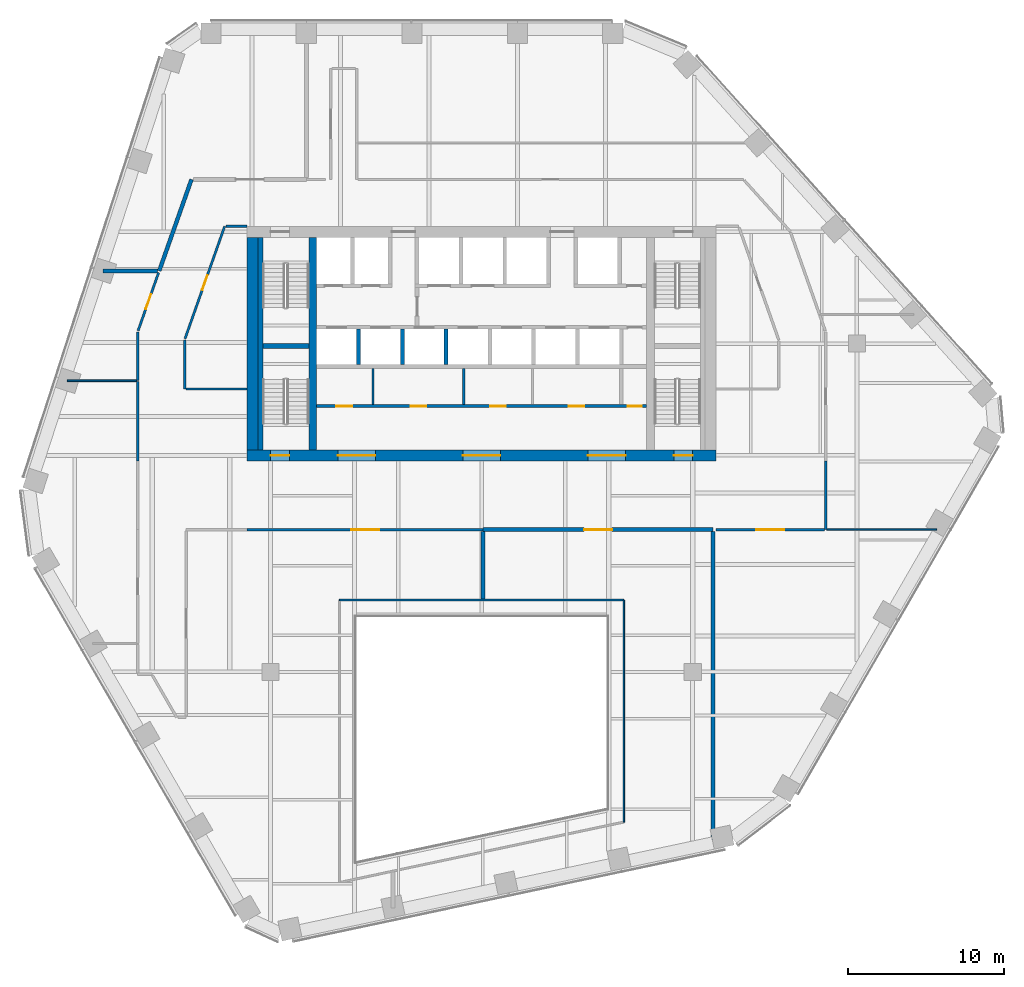
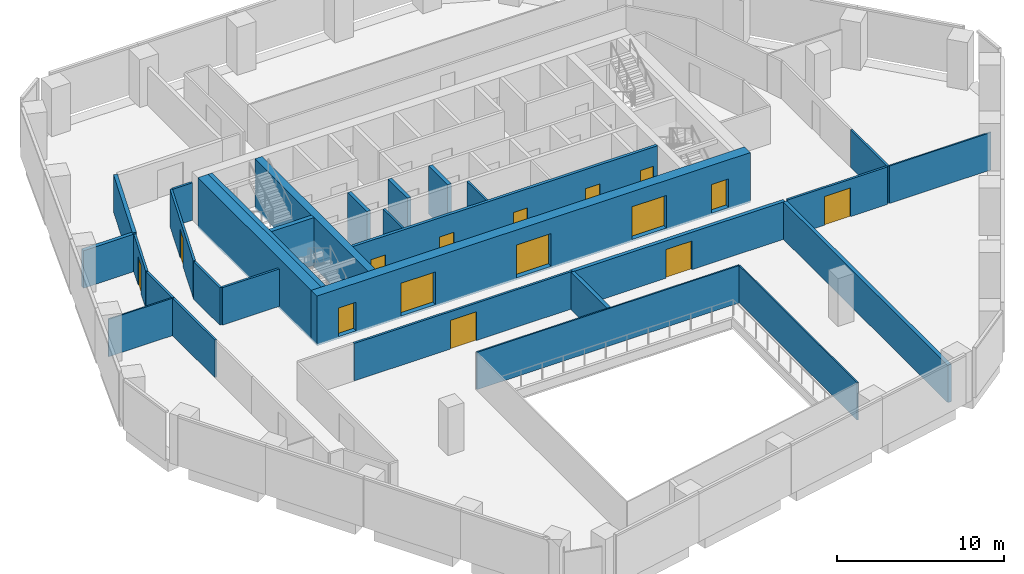
# One storey, part 11 of 16: 30 walls, 15 doors, 15 openings.
"""IFC4 building model written with IfcOpenShell, lengths in metres."""

from ifc_helpers import new_model, si_unit, direction, frame, frame_2d, origin, place, context, subcontext, project, spatial, rectangle, extrude, material, layer, layer_set, type_object, element, fill, save


model = new_model("IFC4")

# Units and contexts
model_context = context("Model", 3, precision=1e-05, world=origin(), true_north=direction((0.0, 1.0)))
body_context = subcontext(model_context, "Body", "Model", "MODEL_VIEW")
ifc_project = project(units=[si_unit("LENGTHUNIT", "METRE"), si_unit("AREAUNIT", "SQUARE_METRE"), si_unit("VOLUMEUNIT", "CUBIC_METRE"), si_unit("PLANEANGLEUNIT", "RADIAN"), si_unit("MASSUNIT", "GRAM", prefix="KILO")], contexts=[model_context])

# Site, building, storey
site_placement = place(None, origin())
site = spatial("IfcSite", under=ifc_project, at=site_placement, CompositionType="ELEMENT")
building_placement = place(site_placement, origin())
building = spatial("IfcBuilding", under=site, at=building_placement, Name="Isthmus Gate Tower", CompositionType="ELEMENT")
storey_placement = place(building_placement, frame((0.0, 0.0, 185.39990234375)))
storey = spatial("IfcBuildingStorey", under=building, at=storey_placement, Name="L46", CompositionType="ELEMENT", Elevation=185.39990234375)

# Wall, opening, door
ifc_material_1 = material(Name="Double-leaf acoustic stud wall, fire-rated", Category="gypsum")
ifc_layer_1 = layer(ifc_material_1, 0.25)
ifc_layer_set_1 = layer_set([ifc_layer_1], Name="ACOUSTIC WALL 250 60 MIN")
wall_type_1 = type_object("IfcWallType", Name="ACOUSTIC WALL 250 60 MIN", PredefinedType="PARTITIONING", material=ifc_layer_set_1)
wall_1_placement = place(storey_placement, frame((14.800048828125, -4.39990234375, 0.0), z_axis=(0.0, 0.0, 1.0), x_axis=(-1.0, 0.0, 0.0)))
wall_1 = element("IfcWall", 1, at=wall_1_placement, inside=storey, type_object=wall_type_1, Name="L46 Acoustic Wall 250 60 Min", PredefinedType="PARTITIONING", context=body_context, shape_type="SweptSolid", body=[
    extrude(rectangle(XDim=14.705078125, YDim=0.25, at=frame_2d((7.3525390625, 0.0))), origin(), (0.0, 0.0, 1.0), 2.7412109375),
])
opening_1_placement = place(wall_1_placement, frame((6.452392578125, 0.0, 0.0)))
opening_1 = element("IfcOpeningElement", 2, at=opening_1_placement, cuts=wall_1, Name="Opening DT-T4B-12", PredefinedType="OPENING", context=body_context, shape_type="SweptSolid", body=[
    extrude(rectangle(XDim=1.800048828125, YDim=2.10009765625, at=frame_2d((0.89990234375, 1.050048828125))), frame((0.0, 0.135009765625, 0.0), z_axis=(0.0, -1.0, 0.0), x_axis=(1.0, 0.0, 0.0)), (0.0, 0.0, 1.0), 0.27001953125),
])
ifc_material_2 = material(Name="Solid core timber door leaf, fire-rated", Category="wood")
door_type_1 = type_object("IfcDoorType", Name="FIRE DOOR ACOUSTIC ROOM 1800 X 2100 60 MIN", OperationType="DOUBLE_DOOR_DOUBLE_SWING", PredefinedType="DOOR", material=ifc_material_2)
door_1_placement = place(opening_1_placement, origin())
door_1 = element("IfcDoor", 3, at=door_1_placement, inside=storey, type_object=door_type_1, Name="L46 room door", OperationType="DOUBLE_DOOR_DOUBLE_SWING", OverallHeight=2.10009765625, OverallWidth=1.800048828125, PredefinedType="DOOR", context=body_context, shape_type="SweptSolid", body=[
    extrude(rectangle(XDim=1.800048828125, YDim=2.10009765625, at=frame_2d((0.89990234375, 1.050048828125))), frame((0.0, 0.02490234375, 0.0), z_axis=(0.0, -1.0, 0.0), x_axis=(1.0, 0.0, 0.0)), (0.0, 0.0, 1.0), 0.050048828125),
])
fill(opening_1, door_1)

# Walls
wall_2_placement = place(storey_placement, frame((-20.6240234375, 12.156005859375, 0.0), z_axis=(0.0, 0.0, 1.0), x_axis=(0.332877813913, 0.942969968241, 0.0)))
element("IfcWall", 4, at=wall_2_placement, inside=storey, type_object=wall_type_1, Name="L46 Acoustic Wall 250 60 Min", PredefinedType="PARTITIONING", context=body_context, shape_type="SweptSolid", body=[
    extrude(rectangle(XDim=6.197509765625, YDim=0.25, at=frame_2d((3.0986328125, 0.0))), origin(), (0.0, 0.0, 1.0), 2.7412109375),
])
wall_3_placement = place(storey_placement, frame((-24.217041015625, 12.156005859375, 0.0), z_axis=(0.0, 0.0, 1.0), x_axis=(1.0, 0.0, 0.0)))
element("IfcWall", 5, at=wall_3_placement, inside=storey, type_object=wall_type_1, Name="L46 Acoustic Wall 250 60 Min", PredefinedType="PARTITIONING", context=body_context, shape_type="SweptSolid", body=[
    extrude(rectangle(XDim=3.468017578125, YDim=0.25, at=frame_2d((1.73388671875, 0.0))), origin(), (0.0, 0.0, 1.0), 2.7412109375),
])
wall_4_placement = place(storey_placement, frame((0.094970703125, -8.85009765625, 0.0), z_axis=(0.0, 0.0, 1.0), x_axis=(0.0, 1.0, 0.0)))
element("IfcWall", 6, at=wall_4_placement, inside=storey, type_object=wall_type_1, Name="L46 Acoustic Wall 250 60 Min", PredefinedType="PARTITIONING", context=body_context, shape_type="SweptSolid", body=[
    extrude(rectangle(XDim=4.3251953125, YDim=0.25, at=frame_2d((2.16259765625, 0.0))), origin(), (0.0, 0.0, 1.0), 2.7412109375),
])
wall_5_placement = place(storey_placement, frame((14.800048828125, -24.240966796875, 0.0), z_axis=(0.0, 0.0, 1.0), x_axis=(0.0, 1.0, 0.0)))
element("IfcWall", 7, at=wall_5_placement, inside=storey, type_object=wall_type_1, Name="L46 Acoustic Wall 250 60 Min", PredefinedType="PARTITIONING", context=body_context, shape_type="SweptSolid", body=[
    extrude(rectangle(XDim=19.716064453125, YDim=0.25, at=frame_2d((9.85791015625, 0.0))), origin(), (0.0, 0.0, 1.0), 2.7412109375),
])
ifc_material_3 = material(Name="Fire-rated laminated glass in steel frame", Category="steel")
ifc_layer_2 = layer(ifc_material_3, 0.10009765625)
ifc_layer_set_2 = layer_set([ifc_layer_2], Name="ATRIUM SCREEN GLAZED WALL 100 120 MIN")
wall_type_2 = type_object("IfcWallType", Name="ATRIUM SCREEN GLAZED WALL 100 120 MIN", PredefinedType="PARTITIONING", material=ifc_layer_set_2)
wall_6_placement = place(storey_placement, frame((-9.10009765625, -8.89990234375, 0.0), z_axis=(0.0, 0.0, 1.0), x_axis=(1.0, 0.0, 0.0)))
element("IfcWall", 8, at=wall_6_placement, inside=storey, type_object=wall_type_2, Name="L46 atrium screen", PredefinedType="PARTITIONING", context=body_context, shape_type="SweptSolid", body=[
    extrude(rectangle(XDim=18.2001953125, YDim=0.10009765625, at=frame_2d((9.10009765625, 0.0))), origin(), (0.0, 0.0, 1.0), 2.7412109375),
])
wall_7_placement = place(storey_placement, frame((9.10009765625, -8.89990234375, 0.0), z_axis=(0.0, 0.0, 1.0), x_axis=(0.0, -1.0, 0.0)))
element("IfcWall", 9, at=wall_7_placement, inside=storey, type_object=wall_type_2, Name="L46 atrium screen", PredefinedType="PARTITIONING", context=body_context, shape_type="SweptSolid", body=[
    extrude(rectangle(XDim=14.200927734375, YDim=0.10009765625, at=frame_2d((7.1005859375, 0.0))), origin(), (0.0, 0.0, 1.0), 2.7412109375),
])

# Wall, opening, door
ifc_material_4 = material(Name="Gypsum board on steel studs, fire-rated", Category="steel")
ifc_layer_3 = layer(ifc_material_4, 0.14990234375)
ifc_layer_set_3 = layer_set([ifc_layer_3], Name="CORRIDOR WALL 150 60 MIN")
wall_type_3 = type_object("IfcWallType", Name="CORRIDOR WALL 150 60 MIN", PredefinedType="PARTITIONING", material=ifc_layer_set_3)
wall_8_placement = place(storey_placement, frame((0.094970703125, -4.39990234375, 0.0), z_axis=(0.0, 0.0, 1.0), x_axis=(-1.0, 0.0, 0.0)))
wall_8 = element("IfcWall", 10, at=wall_8_placement, inside=storey, type_object=wall_type_3, Name="L46 Corridor Wall 150 60 Min", PredefinedType="PARTITIONING", context=body_context, shape_type="SweptSolid", body=[
    extrude(rectangle(XDim=15.094970703125, YDim=0.14990234375, at=frame_2d((7.54736328125, 0.0))), origin(), (0.0, 0.0, 1.0), 2.7412109375),
])
opening_2_placement = place(wall_8_placement, frame((6.6474609375, 0.0, 0.0)))
opening_2 = element("IfcOpeningElement", 11, at=opening_2_placement, cuts=wall_8, Name="Opening DT-T4B-10", PredefinedType="OPENING", context=body_context, shape_type="SweptSolid", body=[
    extrude(rectangle(XDim=1.800048828125, YDim=2.10009765625, at=frame_2d((0.89990234375, 1.050048828125))), frame((0.0, 0.0849609375, 0.0), z_axis=(0.0, -1.0, 0.0), x_axis=(1.0, 0.0, 0.0)), (0.0, 0.0, 1.0), 0.169921875),
])
ifc_material_5 = material(Name="Solid core timber door leaf, fire-rated", Category="wood")
door_type_2 = type_object("IfcDoorType", Name="FIRE DOOR ROOM 1800 X 2100 60 MIN", OperationType="DOUBLE_DOOR_DOUBLE_SWING", PredefinedType="DOOR", material=ifc_material_5)
door_2_placement = place(opening_2_placement, origin())
door_2 = element("IfcDoor", 12, at=door_2_placement, inside=storey, type_object=door_type_2, Name="L46 room door", OperationType="DOUBLE_DOOR_DOUBLE_SWING", OverallHeight=2.10009765625, OverallWidth=1.800048828125, PredefinedType="DOOR", context=body_context, shape_type="SweptSolid", body=[
    extrude(rectangle(XDim=1.800048828125, YDim=2.10009765625, at=frame_2d((0.89990234375, 1.050048828125))), frame((0.0, 0.02490234375, 0.0), z_axis=(0.0, -1.0, 0.0), x_axis=(1.0, 0.0, 0.0)), (0.0, 0.0, 1.0), 0.050048828125),
])
fill(opening_2, door_2)

# Wall
wall_9_placement = place(storey_placement, frame((22.0, 0.0, 0.0), z_axis=(0.0, 0.0, 1.0), x_axis=(0.0, -1.0, 0.0)))
element("IfcWall", 13, at=wall_9_placement, inside=storey, type_object=wall_type_3, Name="L46 Corridor Wall 150 60 Min", PredefinedType="PARTITIONING", context=body_context, shape_type="SweptSolid", body=[
    extrude(rectangle(XDim=4.39990234375, YDim=0.14990234375, at=frame_2d((2.199951171875, 0.0))), origin(), (0.0, 0.0, 1.0), 2.7412109375),
])

# Wall, opening, door
wall_10_placement = place(storey_placement, frame((21.925048828125, -4.39990234375, 0.0), z_axis=(0.0, 0.0, 1.0), x_axis=(-1.0, 0.0, 0.0)))
wall_10 = element("IfcWall", 14, at=wall_10_placement, inside=storey, type_object=wall_type_3, Name="L46 Corridor Wall 150 60 Min", PredefinedType="PARTITIONING", context=body_context, shape_type="SweptSolid", body=[
    extrude(rectangle(XDim=6.925048828125, YDim=0.14990234375, at=frame_2d((3.46240234375, 0.0))), origin(), (0.0, 0.0, 1.0), 2.7412109375),
])
opening_3_placement = place(wall_10_placement, frame((2.5625, 0.0, 0.0)))
opening_3 = element("IfcOpeningElement", 15, at=opening_3_placement, cuts=wall_10, Name="Opening DT-T4B-09", PredefinedType="OPENING", context=body_context, shape_type="SweptSolid", body=[
    extrude(rectangle(XDim=1.800048828125, YDim=2.10009765625, at=frame_2d((0.89990234375, 1.050048828125))), frame((0.0, 0.0849609375, 0.0), z_axis=(0.0, -1.0, 0.0), x_axis=(1.0, 0.0, 0.0)), (0.0, 0.0, 1.0), 0.169921875),
])
door_3_placement = place(opening_3_placement, origin())
door_3 = element("IfcDoor", 16, at=door_3_placement, inside=storey, type_object=door_type_2, Name="L46 room door", OperationType="DOUBLE_DOOR_DOUBLE_SWING", OverallHeight=2.10009765625, OverallWidth=1.800048828125, PredefinedType="DOOR", context=body_context, shape_type="SweptSolid", body=[
    extrude(rectangle(XDim=1.800048828125, YDim=2.10009765625, at=frame_2d((0.89990234375, 1.050048828125))), frame((0.0, 0.02490234375, 0.0), z_axis=(0.0, -1.0, 0.0), x_axis=(1.0, 0.0, 0.0)), (0.0, 0.0, 1.0), 0.050048828125),
])
fill(opening_3, door_3)

# Wall
wall_11_placement = place(storey_placement, frame((-19.0, 7.742919921875, 0.0), z_axis=(0.0, 0.0, 1.0), x_axis=(0.0, -1.0, 0.0)))
element("IfcWall", 17, at=wall_11_placement, inside=storey, type_object=wall_type_3, Name="L46 Corridor Wall 150 60 Min", PredefinedType="PARTITIONING", context=body_context, shape_type="SweptSolid", body=[
    extrude(rectangle(XDim=3.142822265625, YDim=0.14990234375, at=frame_2d((1.5712890625, 0.0))), origin(), (0.0, 0.0, 1.0), 2.7412109375),
])

# Wall, opening, door
wall_12_placement = place(storey_placement, frame((-16.43896484375, 15.0, 0.0), z_axis=(0.0, 0.0, 1.0), x_axis=(-0.332796656951, -0.942998613531, 0.0)))
wall_12 = element("IfcWall", 18, at=wall_12_placement, inside=storey, type_object=wall_type_3, Name="L46 Corridor Wall 150 60 Min", PredefinedType="PARTITIONING", context=body_context, shape_type="SweptSolid", body=[
    extrude(rectangle(XDim=7.62060546875, YDim=0.14990234375, at=frame_2d((3.810302734375, 0.0))), origin(), (0.0, 0.0, 1.0), 2.7412109375),
])
opening_4_placement = place(wall_12_placement, frame((3.310302734375, 0.0, 0.0)))
opening_4 = element("IfcOpeningElement", 19, at=opening_4_placement, cuts=wall_12, Name="Opening DT-T4B-04", PredefinedType="OPENING", context=body_context, shape_type="SweptSolid", body=[
    extrude(rectangle(XDim=1.0, YDim=2.10009765625, at=frame_2d((0.5, 1.050048828125))), frame((0.0, 0.0849609375, 0.0), z_axis=(0.0, -1.0, 0.0), x_axis=(1.0, 0.0, 0.0)), (0.0, 0.0, 1.0), 0.169921875),
])
ifc_material_6 = material(Name="Solid core timber door leaf, fire-rated", Category="wood")
door_type_3 = type_object("IfcDoorType", Name="FIRE DOOR ROOM 1000 X 2100 60 MIN", OperationType="SINGLE_SWING_LEFT", PredefinedType="DOOR", material=ifc_material_6)
door_4_placement = place(opening_4_placement, origin())
door_4 = element("IfcDoor", 20, at=door_4_placement, inside=storey, type_object=door_type_3, Name="L46 room door", OperationType="SINGLE_SWING_RIGHT", OverallHeight=2.10009765625, OverallWidth=1.0, PredefinedType="DOOR", context=body_context, shape_type="SweptSolid", body=[
    extrude(rectangle(XDim=1.0, YDim=2.10009765625, at=frame_2d((0.5, 1.050048828125))), frame((0.0, 0.02490234375, 0.0), z_axis=(0.0, -1.0, 0.0), x_axis=(1.0, 0.0, 0.0)), (0.0, 0.0, 1.0), 0.050048828125),
])
fill(opening_4, door_4)

# Walls
wall_13_placement = place(storey_placement, frame((-15.0, 15.0, 0.0), z_axis=(0.0, 0.0, 1.0), x_axis=(-1.0, 0.0, 0.0)))
element("IfcWall", 21, at=wall_13_placement, inside=storey, type_object=wall_type_3, Name="L46 Corridor Wall 150 60 Min", PredefinedType="PARTITIONING", context=body_context, shape_type="SweptSolid", body=[
    extrude(rectangle(XDim=1.364013671875, YDim=0.14990234375, at=frame_2d((0.68212890625, 0.0))), origin(), (0.0, 0.0, 1.0), 2.7412109375),
])
wall_14_placement = place(storey_placement, frame((-18.925048828125, 4.60009765625, 0.0), z_axis=(0.0, 0.0, 1.0), x_axis=(1.0, 0.0, 0.0)))
element("IfcWall", 22, at=wall_14_placement, inside=storey, type_object=wall_type_3, Name="L46 Corridor Wall 150 60 Min", PredefinedType="PARTITIONING", context=body_context, shape_type="SweptSolid", body=[
    extrude(rectangle(XDim=3.925048828125, YDim=0.14990234375, at=frame_2d((1.96240234375, 0.0))), origin(), (0.0, 0.0, 1.0), 2.7412109375),
])
wall_15_placement = place(storey_placement, frame((-22.0, 5.126953125, 0.0), z_axis=(0.0, 0.0, 1.0), x_axis=(0.0, 1.0, 0.0)))
element("IfcWall", 23, at=wall_15_placement, inside=storey, type_object=wall_type_3, Name="L46 Corridor Wall 150 60 Min", PredefinedType="PARTITIONING", context=body_context, shape_type="SweptSolid", body=[
    extrude(rectangle(XDim=3.130126953125, YDim=0.14990234375, at=frame_2d((1.56494140625, 0.0))), origin(), (0.0, 0.0, 1.0), 2.7412109375),
])

# Wall, opening, door
wall_16_placement = place(storey_placement, frame((-21.97509765625, 8.32763671875, 0.0), z_axis=(0.0, 0.0, 1.0), x_axis=(0.332820117735, 0.942990333583, 0.0)))
wall_16 = element("IfcWall", 24, at=wall_16_placement, inside=storey, type_object=wall_type_3, Name="L46 Corridor Wall 150 60 Min", PredefinedType="PARTITIONING", context=body_context, shape_type="SweptSolid", body=[
    extrude(rectangle(XDim=3.934814453125, YDim=0.14990234375, at=frame_2d((1.96728515625, 0.0))), origin(), (0.0, 0.0, 1.0), 2.7412109375),
])
opening_5_placement = place(wall_16_placement, frame((1.46728515625, 0.0, 0.0)))
opening_5 = element("IfcOpeningElement", 25, at=opening_5_placement, cuts=wall_16, Name="Opening DT-T4B-06", PredefinedType="OPENING", context=body_context, shape_type="SweptSolid", body=[
    extrude(rectangle(XDim=1.0, YDim=2.10009765625, at=frame_2d((0.5, 1.050048828125))), frame((0.0, 0.0849609375, 0.0), z_axis=(0.0, -1.0, 0.0), x_axis=(1.0, 0.0, 0.0)), (0.0, 0.0, 1.0), 0.169921875),
])
door_5_placement = place(opening_5_placement, origin())
door_5 = element("IfcDoor", 26, at=door_5_placement, inside=storey, type_object=door_type_3, Name="L46 room door", OperationType="SINGLE_SWING_RIGHT", OverallHeight=2.10009765625, OverallWidth=1.0, PredefinedType="DOOR", context=body_context, shape_type="SweptSolid", body=[
    extrude(rectangle(XDim=1.0, YDim=2.10009765625, at=frame_2d((0.5, 1.050048828125))), frame((0.0, 0.02490234375, 0.0), z_axis=(0.0, -1.0, 0.0), x_axis=(1.0, 0.0, 0.0)), (0.0, 0.0, 1.0), 0.050048828125),
])
fill(opening_5, door_5)

# Walls
wall_17_placement = place(storey_placement, frame((-22.0, 0.0, 0.0), z_axis=(0.0, 0.0, 1.0), x_axis=(0.0, 1.0, 0.0)))
element("IfcWall", 27, at=wall_17_placement, inside=storey, type_object=wall_type_3, Name="L46 Corridor Wall 150 60 Min", PredefinedType="PARTITIONING", context=body_context, shape_type="SweptSolid", body=[
    extrude(rectangle(XDim=5.076904296875, YDim=0.14990234375, at=frame_2d((2.53857421875, 0.0))), origin(), (0.0, 0.0, 1.0), 2.7412109375),
])
ifc_material_7 = material(Name="Concrete f'c 60 MPa", Category="concrete")
ifc_layer_4 = layer(ifc_material_7, 0.5)
ifc_layer_set_4 = layer_set([ifc_layer_4], Name="RC CORE SPINE WALL 500 F'C 60")
wall_type_4 = type_object("IfcWallType", Name="RC CORE SPINE WALL 500 F'C 60", PredefinedType="SOLIDWALL", material=ifc_layer_set_4)
wall_18_placement = place(storey_placement, frame((-10.800048828125, 0.699951171875, -0.14990234375), z_axis=(0.0, 0.0, 1.0), x_axis=(0.0, 1.0, 0.0)))
element("IfcWall", 28, at=wall_18_placement, inside=storey, type_object=wall_type_4, Name="str-corewall-L46-SPW", PredefinedType="SOLIDWALL", context=body_context, shape_type="SweptSolid", body=[
    extrude(rectangle(XDim=13.60009765625, YDim=0.5, at=frame_2d((6.800048828125, 0.0))), origin(), (0.0, 0.0, 1.0), 3.64990234375),
])

# Wall, openings, doors
ifc_material_8 = material(Name="Concrete f'c 60 MPa", Category="concrete")
ifc_layer_5 = layer(ifc_material_8, 0.699951171875)
ifc_layer_set_5 = layer_set([ifc_layer_5], Name="RC CORE WALL 700 F'C 60")
wall_type_5 = type_object("IfcWallType", Name="RC CORE WALL 700 F'C 60", PredefinedType="SOLIDWALL", material=ifc_layer_set_5)
wall_19_placement = place(storey_placement, frame((-15.0, 0.35009765625, -0.14990234375), z_axis=(0.0, 0.0, 1.0), x_axis=(1.0, 0.0, 0.0)))
wall_19 = element("IfcWall", 29, at=wall_19_placement, inside=storey, type_object=wall_type_5, Name="str-corewall-L46-S", PredefinedType="SOLIDWALL", context=body_context, shape_type="SweptSolid", body=[
    extrude(rectangle(XDim=30.0, YDim=0.699951171875, at=frame_2d((15.0, 0.0))), origin(), (0.0, 0.0, 1.0), 3.64990234375),
])
opening_6_placement = place(wall_19_placement, frame((5.800048828125, 0.0, 0.14990234375)))
opening_6 = element("IfcOpeningElement", 30, at=opening_6_placement, cuts=wall_19, Name="Opening DC-A13-09", PredefinedType="OPENING", context=body_context, shape_type="SweptSolid", body=[
    extrude(rectangle(XDim=2.39990234375, YDim=2.39990234375, at=frame_2d((1.199951171875, 1.199951171875))), frame((0.0, 0.35986328125, 0.0), z_axis=(0.0, -1.0, 0.0), x_axis=(1.0, 0.0, 0.0)), (0.0, 0.0, 1.0), 0.719970703125),
])
opening_7_placement = place(wall_19_placement, frame((13.800048828125, 0.0, 0.14990234375)))
opening_7 = element("IfcOpeningElement", 31, at=opening_7_placement, cuts=wall_19, Name="Opening DC-A13-10", PredefinedType="OPENING", context=body_context, shape_type="SweptSolid", body=[
    extrude(rectangle(XDim=2.39990234375, YDim=2.39990234375, at=frame_2d((1.199951171875, 1.199951171875))), frame((0.0, 0.35986328125, 0.0), z_axis=(0.0, -1.0, 0.0), x_axis=(1.0, 0.0, 0.0)), (0.0, 0.0, 1.0), 0.719970703125),
])
opening_8_placement = place(wall_19_placement, frame((21.800048828125, 0.0, 0.14990234375)))
opening_8 = element("IfcOpeningElement", 32, at=opening_8_placement, cuts=wall_19, Name="Opening DC-A13-11", PredefinedType="OPENING", context=body_context, shape_type="SweptSolid", body=[
    extrude(rectangle(XDim=2.39990234375, YDim=2.39990234375, at=frame_2d((1.199951171875, 1.199951171875))), frame((0.0, 0.35986328125, 0.0), z_axis=(0.0, -1.0, 0.0), x_axis=(1.0, 0.0, 0.0)), (0.0, 0.0, 1.0), 0.719970703125),
])
opening_9_placement = place(wall_19_placement, frame((1.5, 0.0, 0.14990234375)))
opening_9 = element("IfcOpeningElement", 33, at=opening_9_placement, cuts=wall_19, Name="Opening DC-A13-16", PredefinedType="OPENING", context=body_context, shape_type="SweptSolid", body=[
    extrude(rectangle(XDim=1.199951171875, YDim=2.10009765625, at=frame_2d((0.60009765625, 1.050048828125))), frame((0.0, 0.35986328125, 0.0), z_axis=(0.0, -1.0, 0.0), x_axis=(1.0, 0.0, 0.0)), (0.0, 0.0, 1.0), 0.719970703125),
])
opening_10_placement = place(wall_19_placement, frame((27.300048828125, 0.0, 0.14990234375)))
opening_10 = element("IfcOpeningElement", 34, at=opening_10_placement, cuts=wall_19, Name="Opening DC-A13-17", PredefinedType="OPENING", context=body_context, shape_type="SweptSolid", body=[
    extrude(rectangle(XDim=1.199951171875, YDim=2.10009765625, at=frame_2d((0.60009765625, 1.050048828125))), frame((0.0, 0.35986328125, 0.0), z_axis=(0.0, -1.0, 0.0), x_axis=(1.0, 0.0, 0.0)), (0.0, 0.0, 1.0), 0.719970703125),
])
ifc_material_9 = material(Name="Laminated safety glass in steel frame, fire-rated", Category="steel")
door_type_4 = type_object("IfcDoorType", Name="LOBBY ENTRANCE FIRE DOOR 2400 X 2400 60 MIN", OperationType="DOUBLE_DOOR_DOUBLE_SWING", PredefinedType="DOOR", material=ifc_material_9)
door_6_placement = place(opening_6_placement, origin())
door_6 = element("IfcDoor", 35, at=door_6_placement, inside=storey, type_object=door_type_4, Name="Lobby Entrance PS-W", OperationType="DOUBLE_DOOR_DOUBLE_SWING", OverallHeight=2.39990234375, OverallWidth=2.39990234375, PredefinedType="DOOR", context=body_context, shape_type="SweptSolid", body=[
    extrude(rectangle(XDim=2.39990234375, YDim=2.39990234375, at=frame_2d((1.199951171875, 1.199951171875))), frame((0.0, 0.02490234375, 0.0), z_axis=(0.0, -1.0, 0.0), x_axis=(1.0, 0.0, 0.0)), (0.0, 0.0, 1.0), 0.050048828125),
])
fill(opening_6, door_6)
door_7_placement = place(opening_7_placement, origin())
door_7 = element("IfcDoor", 36, at=door_7_placement, inside=storey, type_object=door_type_4, Name="Lobby Entrance PS-C", OperationType="DOUBLE_DOOR_DOUBLE_SWING", OverallHeight=2.39990234375, OverallWidth=2.39990234375, PredefinedType="DOOR", context=body_context, shape_type="SweptSolid", body=[
    extrude(rectangle(XDim=2.39990234375, YDim=2.39990234375, at=frame_2d((1.199951171875, 1.199951171875))), frame((0.0, 0.02490234375, 0.0), z_axis=(0.0, -1.0, 0.0), x_axis=(1.0, 0.0, 0.0)), (0.0, 0.0, 1.0), 0.050048828125),
])
fill(opening_7, door_7)
door_8_placement = place(opening_8_placement, origin())
door_8 = element("IfcDoor", 37, at=door_8_placement, inside=storey, type_object=door_type_4, Name="Lobby Entrance PS-E", OperationType="DOUBLE_DOOR_DOUBLE_SWING", OverallHeight=2.39990234375, OverallWidth=2.39990234375, PredefinedType="DOOR", context=body_context, shape_type="SweptSolid", body=[
    extrude(rectangle(XDim=2.39990234375, YDim=2.39990234375, at=frame_2d((1.199951171875, 1.199951171875))), frame((0.0, 0.02490234375, 0.0), z_axis=(0.0, -1.0, 0.0), x_axis=(1.0, 0.0, 0.0)), (0.0, 0.0, 1.0), 0.050048828125),
])
fill(opening_8, door_8)
ifc_material_10 = material(Name="Steel door leaf, fire-rated", Category="steel")
door_type_5 = type_object("IfcDoorType", Name="STAIR FIRE DOOR 1200 X 2100 90 MIN", OperationType="SINGLE_SWING_LEFT", PredefinedType="DOOR", material=ifc_material_10)
door_9_placement = place(opening_9_placement, origin())
door_9 = element("IfcDoor", 38, at=door_9_placement, inside=storey, type_object=door_type_5, Name="Exit Stair 7 Door", OperationType="SINGLE_SWING_LEFT", OverallHeight=2.10009765625, OverallWidth=1.199951171875, PredefinedType="DOOR", context=body_context, shape_type="SweptSolid", body=[
    extrude(rectangle(XDim=1.199951171875, YDim=2.10009765625, at=frame_2d((0.60009765625, 1.050048828125))), frame((0.0, 0.02490234375, 0.0), z_axis=(0.0, -1.0, 0.0), x_axis=(1.0, 0.0, 0.0)), (0.0, 0.0, 1.0), 0.050048828125),
])
fill(opening_9, door_9)
door_10_placement = place(opening_10_placement, origin())
door_10 = element("IfcDoor", 39, at=door_10_placement, inside=storey, type_object=door_type_5, Name="Exit Stair 8 Door", OperationType="SINGLE_SWING_RIGHT", OverallHeight=2.10009765625, OverallWidth=1.199951171875, PredefinedType="DOOR", context=body_context, shape_type="SweptSolid", body=[
    extrude(rectangle(XDim=1.199951171875, YDim=2.10009765625, at=frame_2d((0.60009765625, 1.050048828125))), frame((0.0, 0.02490234375, 0.0), z_axis=(0.0, -1.0, 0.0), x_axis=(1.0, 0.0, 0.0)), (0.0, 0.0, 1.0), 0.050048828125),
])
fill(opening_10, door_10)

# Walls
wall_20_placement = place(storey_placement, frame((-14.64990234375, 0.699951171875, -0.14990234375), z_axis=(0.0, 0.0, 1.0), x_axis=(0.0, 1.0, 0.0)))
element("IfcWall", 40, at=wall_20_placement, inside=storey, type_object=wall_type_5, Name="str-corewall-L46-W", PredefinedType="SOLIDWALL", context=body_context, shape_type="SweptSolid", body=[
    extrude(rectangle(XDim=13.60009765625, YDim=0.699951171875, at=frame_2d((6.800048828125, 0.0))), origin(), (0.0, 0.0, 1.0), 3.64990234375),
])
ifc_material_11 = material(Name="Gypsum board on steel studs, fire-rated", Category="steel")
ifc_layer_6 = layer(ifc_material_11, 0.10009765625)
ifc_layer_set_6 = layer_set([ifc_layer_6], Name="ROOM PARTITION 100 30 MIN")
wall_type_6 = type_object("IfcWallType", Name="ROOM PARTITION 100 30 MIN", PredefinedType="PARTITIONING", material=ifc_layer_set_6)
wall_21_placement = place(storey_placement, frame((-26.5009765625, 5.126953125, 0.0), z_axis=(0.0, 0.0, 1.0), x_axis=(1.0, 0.0, 0.0)))
element("IfcWall", 41, at=wall_21_placement, inside=storey, type_object=wall_type_6, Name="L46 Room Partition 100 30 Min", PredefinedType="PARTITIONING", context=body_context, shape_type="SweptSolid", body=[
    extrude(rectangle(XDim=4.426025390625, YDim=0.10009765625, at=frame_2d((2.212890625, 0.0))), origin(), (0.0, 0.0, 1.0), 2.7412109375),
])
wall_22_placement = place(storey_placement, frame((22.074951171875, -4.402099609375, 0.0), z_axis=(0.0, 0.0, 1.0), x_axis=(1.0, 0.0, 0.0)))
element("IfcWall", 42, at=wall_22_placement, inside=storey, type_object=wall_type_6, Name="L46 Room Partition 100 30 Min", PredefinedType="PARTITIONING", context=body_context, shape_type="SweptSolid", body=[
    extrude(rectangle(XDim=7.02197265625, YDim=0.10009765625, at=frame_2d((3.510986328125, 0.0))), origin(), (0.0, 0.0, 1.0), 2.7412109375),
])
ifc_material_12 = material(Name="Gypsum board on steel studs, fire-rated", Category="steel")
ifc_layer_7 = layer(ifc_material_12, 0.14990234375)
ifc_layer_set_7 = layer_set([ifc_layer_7], Name="ROOM PARTITION 150 60 MIN")
wall_type_7 = type_object("IfcWallType", Name="ROOM PARTITION 150 60 MIN", PredefinedType="PARTITIONING", material=ifc_layer_set_7)
for number, where, z_axis, x_axis, name in (
    (43, (-6.949951171875, 3.60009765625, 0.0), (0.0, 0.0, 1.0), (0.0, 1.0, 0.0), "L46 ROOM PARTITION 150 60 MIN"),
    (44, (-1.14990234375, 3.60009765625, 0.0), (0.0, 0.0, 1.0), (0.0, 1.0, 0.0), "L46 ROOM PARTITION 150 60 MIN"),
):
    element("IfcWall", number, at=place(storey_placement, frame(where, z_axis=z_axis, x_axis=x_axis)), inside=storey, type_object=wall_type_7, Name=name, PredefinedType="PARTITIONING", context=body_context, shape_type="SweptSolid", body=[
        extrude(rectangle(XDim=2.2998046875, YDim=0.14990234375, at=frame_2d((1.14990234375, 0.0))), origin(), (0.0, 0.0, 1.0), 3.5),
    ])

# Wall, openings, doors
ifc_material_13 = material(Name="Fire-rated blockwork masonry, 15 MPa", Category="masonry")
ifc_layer_8 = layer(ifc_material_13, 0.199951171875)
ifc_layer_set_8 = layer_set([ifc_layer_8], Name="SHAFT FRONT WALL 200 120 MIN")
wall_type_8 = type_object("IfcWallType", Name="SHAFT FRONT WALL 200 120 MIN", PredefinedType="PARTITIONING", material=ifc_layer_set_8)
wall_23_placement = place(storey_placement, frame((-10.550048828125, 3.5, 0.0), z_axis=(0.0, 0.0, 1.0), x_axis=(1.0, 0.0, 0.0)))
wall_23 = element("IfcWall", 45, at=wall_23_placement, inside=storey, type_object=wall_type_8, Name="L46 SHAFT FRONT WALL 200 120 MIN", PredefinedType="PARTITIONING", context=body_context, shape_type="SweptSolid", body=[
    extrude(rectangle(XDim=21.10009765625, YDim=0.199951171875, at=frame_2d((10.550048828125, 0.0))), origin(), (0.0, 0.0, 1.0), 3.5),
])
opening_11_placement = place(wall_23_placement, frame((1.262451171875, 0.0, 0.0)))
opening_11 = element("IfcOpeningElement", 46, at=opening_11_placement, cuts=wall_23, Name="Opening DC-A13-02", PredefinedType="OPENING", context=body_context, shape_type="SweptSolid", body=[
    extrude(rectangle(XDim=1.0, YDim=2.10009765625, at=frame_2d((0.5, 1.050048828125))), frame((0.0, 0.10986328125, 0.0), z_axis=(0.0, -1.0, 0.0), x_axis=(1.0, 0.0, 0.0)), (0.0, 0.0, 1.0), 0.219970703125),
])
opening_12_placement = place(wall_23_placement, frame((6.0, 0.0, 0.0)))
opening_12 = element("IfcOpeningElement", 47, at=opening_12_placement, cuts=wall_23, Name="Opening DC-A13-03", PredefinedType="OPENING", context=body_context, shape_type="SweptSolid", body=[
    extrude(rectangle(XDim=1.0, YDim=2.10009765625, at=frame_2d((0.5, 1.050048828125))), frame((0.0, 0.10986328125, 0.0), z_axis=(0.0, -1.0, 0.0), x_axis=(1.0, 0.0, 0.0)), (0.0, 0.0, 1.0), 0.219970703125),
])
opening_13_placement = place(wall_23_placement, frame((11.10009765625, 0.0, 0.0)))
opening_13 = element("IfcOpeningElement", 48, at=opening_13_placement, cuts=wall_23, Name="Opening DC-A13-04", PredefinedType="OPENING", context=body_context, shape_type="SweptSolid", body=[
    extrude(rectangle(XDim=1.0, YDim=2.10009765625, at=frame_2d((0.5, 1.050048828125))), frame((0.0, 0.10986328125, 0.0), z_axis=(0.0, -1.0, 0.0), x_axis=(1.0, 0.0, 0.0)), (0.0, 0.0, 1.0), 0.219970703125),
])
opening_14_placement = place(wall_23_placement, frame((16.112548828125, 0.0, 0.0)))
opening_14 = element("IfcOpeningElement", 49, at=opening_14_placement, cuts=wall_23, Name="Opening DC-A13-05", PredefinedType="OPENING", context=body_context, shape_type="SweptSolid", body=[
    extrude(rectangle(XDim=1.0, YDim=2.10009765625, at=frame_2d((0.5, 1.050048828125))), frame((0.0, 0.10986328125, 0.0), z_axis=(0.0, -1.0, 0.0), x_axis=(1.0, 0.0, 0.0)), (0.0, 0.0, 1.0), 0.219970703125),
])
opening_15_placement = place(wall_23_placement, frame((19.89990234375, 0.0, 0.0)))
opening_15 = element("IfcOpeningElement", 50, at=opening_15_placement, cuts=wall_23, Name="Opening DC-A13-06", PredefinedType="OPENING", context=body_context, shape_type="SweptSolid", body=[
    extrude(rectangle(XDim=0.89990234375, YDim=2.10009765625, at=frame_2d((0.449951171875, 1.050048828125))), frame((0.0, 0.10986328125, 0.0), z_axis=(0.0, -1.0, 0.0), x_axis=(1.0, 0.0, 0.0)), (0.0, 0.0, 1.0), 0.219970703125),
])
ifc_material_14 = material(Name="Steel door leaf, fire-rated", Category="steel")
door_type_6 = type_object("IfcDoorType", Name="FIRE DOOR 1000 X 2100 60 MIN", OperationType="SINGLE_SWING_LEFT", PredefinedType="DOOR", material=ifc_material_14)
door_11_placement = place(opening_11_placement, origin())
door_11 = element("IfcDoor", 51, at=door_11_placement, inside=storey, type_object=door_type_6, Name="Accessible WC Door", OperationType="SINGLE_SWING_LEFT", OverallHeight=2.10009765625, OverallWidth=1.0, PredefinedType="DOOR", context=body_context, shape_type="SweptSolid", body=[
    extrude(rectangle(XDim=1.0, YDim=2.10009765625, at=frame_2d((0.5, 1.050048828125))), frame((0.0, 0.02490234375, 0.0), z_axis=(0.0, -1.0, 0.0), x_axis=(1.0, 0.0, 0.0)), (0.0, 0.0, 1.0), 0.050048828125),
])
fill(opening_11, door_11)
door_12_placement = place(opening_12_placement, origin())
door_12 = element("IfcDoor", 52, at=door_12_placement, inside=storey, type_object=door_type_6, Name="WC Women Door", OperationType="SINGLE_SWING_RIGHT", OverallHeight=2.10009765625, OverallWidth=1.0, PredefinedType="DOOR", context=body_context, shape_type="SweptSolid", body=[
    extrude(rectangle(XDim=1.0, YDim=2.10009765625, at=frame_2d((0.5, 1.050048828125))), frame((0.0, 0.02490234375, 0.0), z_axis=(0.0, -1.0, 0.0), x_axis=(1.0, 0.0, 0.0)), (0.0, 0.0, 1.0), 0.050048828125),
])
fill(opening_12, door_12)
door_13_placement = place(opening_13_placement, origin())
door_13 = element("IfcDoor", 53, at=door_13_placement, inside=storey, type_object=door_type_6, Name="WC Men Door", OperationType="SINGLE_SWING_LEFT", OverallHeight=2.10009765625, OverallWidth=1.0, PredefinedType="DOOR", context=body_context, shape_type="SweptSolid", body=[
    extrude(rectangle(XDim=1.0, YDim=2.10009765625, at=frame_2d((0.5, 1.050048828125))), frame((0.0, 0.02490234375, 0.0), z_axis=(0.0, -1.0, 0.0), x_axis=(1.0, 0.0, 0.0)), (0.0, 0.0, 1.0), 0.050048828125),
])
fill(opening_13, door_13)
door_14_placement = place(opening_14_placement, origin())
door_14 = element("IfcDoor", 54, at=door_14_placement, inside=storey, type_object=door_type_6, Name="Staff Room Door", OperationType="SINGLE_SWING_RIGHT", OverallHeight=2.10009765625, OverallWidth=1.0, PredefinedType="DOOR", context=body_context, shape_type="SweptSolid", body=[
    extrude(rectangle(XDim=1.0, YDim=2.10009765625, at=frame_2d((0.5, 1.050048828125))), frame((0.0, 0.02490234375, 0.0), z_axis=(0.0, -1.0, 0.0), x_axis=(1.0, 0.0, 0.0)), (0.0, 0.0, 1.0), 0.050048828125),
])
fill(opening_14, door_14)
ifc_material_15 = material(Name="Steel door leaf, fire-rated", Category="steel")
door_type_7 = type_object("IfcDoorType", Name="RISER FIRE DOOR 900 X 2100 90 MIN", OperationType="SINGLE_SWING_LEFT", PredefinedType="DOOR", material=ifc_material_15)
door_15_placement = place(opening_15_placement, origin())
door_15 = element("IfcDoor", 55, at=door_15_placement, inside=storey, type_object=door_type_7, Name="Riser Door", OperationType="SINGLE_SWING_RIGHT", OverallHeight=2.10009765625, OverallWidth=0.89990234375, PredefinedType="DOOR", context=body_context, shape_type="SweptSolid", body=[
    extrude(rectangle(XDim=0.89990234375, YDim=2.10009765625, at=frame_2d((0.449951171875, 1.050048828125))), frame((0.0, 0.02490234375, 0.0), z_axis=(0.0, -1.0, 0.0), x_axis=(1.0, 0.0, 0.0)), (0.0, 0.0, 1.0), 0.050048828125),
])
fill(opening_15, door_15)

# Walls
ifc_material_16 = material(Name="Fire-rated blockwork masonry, 15 MPa", Category="masonry")
ifc_layer_9 = layer(ifc_material_16, 0.25)
ifc_layer_set_9 = layer_set([ifc_layer_9], Name="SHAFT WALL 250 120 MIN")
wall_type_9 = type_object("IfcWallType", Name="SHAFT WALL 250 120 MIN", PredefinedType="PARTITIONING", material=ifc_layer_set_9)
for number, where, z_axis, x_axis, name in (
    (56, (-7.875, 6.14990234375, 0.0), (0.0, 0.0, 1.0), (0.0, 1.0, 0.0), "L46 SHAFT WALL 250 120 MIN"),
    (57, (-5.074951171875, 6.14990234375, 0.0), (0.0, 0.0, 1.0), (0.0, 1.0, 0.0), "L46 SHAFT WALL 250 120 MIN"),
    (58, (-2.27490234375, 6.14990234375, 0.0), (0.0, 0.0, 1.0), (0.0, 1.0, 0.0), "L46 SHAFT WALL 250 120 MIN"),
):
    element("IfcWall", number, at=place(storey_placement, frame(where, z_axis=z_axis, x_axis=x_axis)), inside=storey, type_object=wall_type_9, Name=name, PredefinedType="PARTITIONING", context=body_context, shape_type="SweptSolid", body=[
        extrude(rectangle(XDim=2.300048828125, YDim=0.25, at=frame_2d((1.14990234375, 0.0))), origin(), (0.0, 0.0, 1.0), 3.5),
    ])
ifc_material_17 = material(Name="Concrete f'c 40 MPa", Category="concrete")
ifc_layer_10 = layer(ifc_material_17, 0.300048828125)
ifc_layer_set_10 = layer_set([ifc_layer_10], Name="STAIR ENCLOSURE WALL 300 180 MIN")
wall_type_10 = type_object("IfcWallType", Name="STAIR ENCLOSURE WALL 300 180 MIN", PredefinedType="SOLIDWALL", material=ifc_layer_set_10)
wall_24_placement = place(storey_placement, frame((-14.0, 7.35009765625, 0.0), z_axis=(0.0, 0.0, 1.0), x_axis=(1.0, 0.0, 0.0)))
element("IfcWall", 59, at=wall_24_placement, inside=storey, type_object=wall_type_10, Name="L46 STAIR ENCLOSURE WALL 300 180 MIN", PredefinedType="SOLIDWALL", context=body_context, shape_type="SweptSolid", body=[
    extrude(rectangle(XDim=2.949951171875, YDim=0.300048828125, at=frame_2d((1.47509765625, 0.0))), origin(), (0.0, 0.0, 1.0), 3.5),
])
wall_25_placement = place(storey_placement, frame((-14.14990234375, 0.699951171875, 0.0), z_axis=(0.0, 0.0, 1.0), x_axis=(0.0, 1.0, 0.0)))
element("IfcWall", 60, at=wall_25_placement, inside=storey, type_object=wall_type_10, Name="L46 STAIR ENCLOSURE WALL 300 180 MIN", PredefinedType="SOLIDWALL", context=body_context, shape_type="SweptSolid", body=[
    extrude(rectangle(XDim=13.60009765625, YDim=0.300048828125, at=frame_2d((6.800048828125, 0.0))), origin(), (0.0, 0.0, 1.0), 3.5),
])

save(model, "model.ifc")
